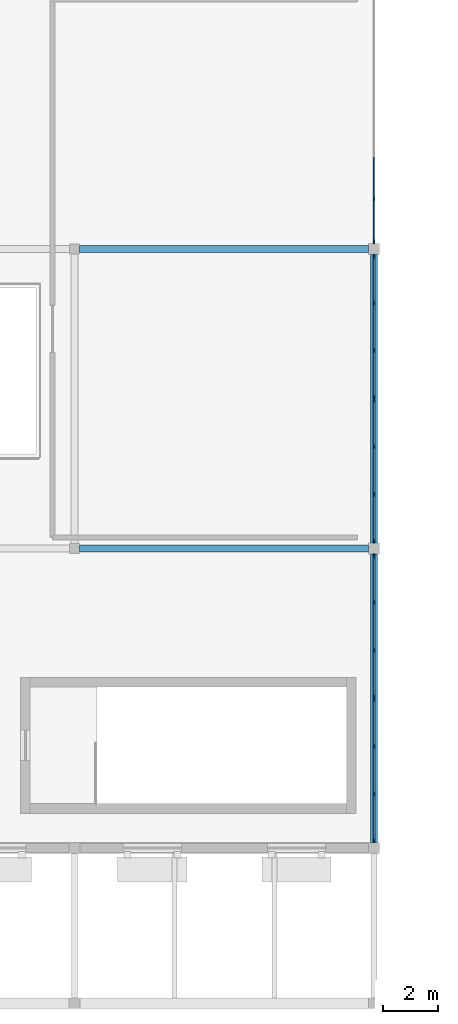
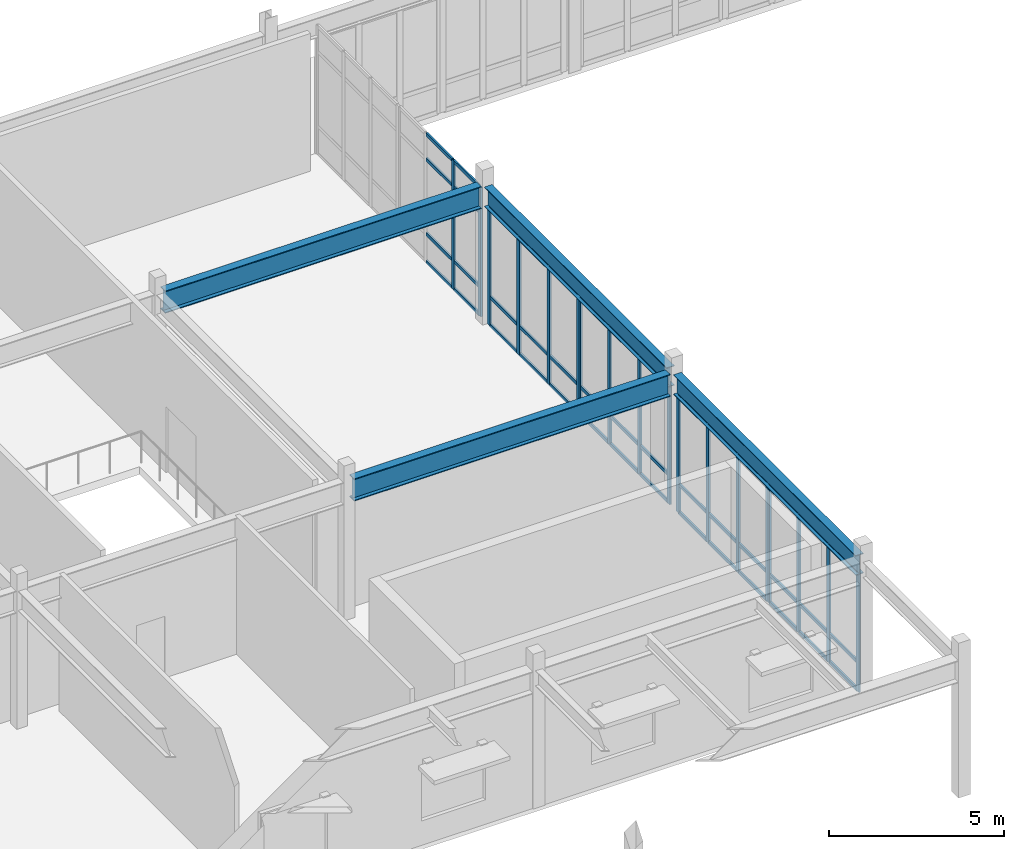
# One storey, part 10 of 68: 62 members, 4 beams, 5 elements without a shape of their own.
"""IFC4 building model written with IfcOpenShell, lengths in metres."""

from ifc_helpers import new_model, si_unit, direction, frame, origin, origin_2d, place, context, subcontext, project, spatial, rectangle, i_section, extrude, material, material_profile, profile_set, type_object, element, aggregate, save


model = new_model("IFC4")

# Units and contexts
model_context = context("Model", 3, precision=1e-05, world=origin(), true_north=direction((0.0, 1.0)))
body_context = subcontext(model_context, "Body", "Model", "MODEL_VIEW")
ifc_project = project(units=[si_unit("LENGTHUNIT", "METRE"), si_unit("AREAUNIT", "SQUARE_METRE"), si_unit("VOLUMEUNIT", "CUBIC_METRE"), si_unit("PLANEANGLEUNIT", "RADIAN"), si_unit("MASSUNIT", "GRAM", prefix="KILO")], contexts=[model_context])

# Site, building, storey
site_placement = place(None, origin())
site = spatial("IfcSite", under=ifc_project, at=site_placement, CompositionType="ELEMENT")
building_placement = place(site_placement, origin())
building = spatial("IfcBuilding", under=site, at=building_placement, Name="Veldera Park Congress Hotel", CompositionType="ELEMENT")
storey_placement = place(building_placement, frame((0.0, 0.0, 10.800048828125)))
storey = spatial("IfcBuildingStorey", under=building, at=storey_placement, Name="L02", CompositionType="ELEMENT", Elevation=10.800048828125)

# Beams
ifc_material_1 = material(Name="Steel ASTM A992 Gr.50", Category="steel")
ifc_material_profile_1 = material_profile(ifc_material_1, i_section(OverallWidth=0.256103515625, OverallDepth=0.693115234375, WebThickness=0.014404296875, FlangeThickness=0.023681640625, at=origin_2d()), Name="W27X114")
ifc_profile_set_1 = profile_set([ifc_material_profile_1], Name="Steel ASTM A992 Gr.50")
beam_type_1 = type_object("IfcBeamType", Name="BM-W27", PredefinedType="BEAM", material=ifc_profile_set_1)
beam_1_placement = place(storey_placement, frame((-45.800048828125, -52.0048828125, 4.453369140625), z_axis=(0.0, 1.0, 0.0), x_axis=(-1.0, 0.0, 0.0)))
element("IfcBeam", 1, at=beam_1_placement, inside=storey, type_object=beam_type_1, Name="L02 Girder BM-W27 954", PredefinedType="BEAM", context=body_context, shape_type="SweptSolid", body=[
    extrude(i_section(OverallWidth=0.256103515625, OverallDepth=0.693115234375, WebThickness=0.014404296875, FlangeThickness=0.023681640625, at=origin_2d()), origin(), (0.0, 0.0, 1.0), 10.409912109375),
])
beam_2_placement = place(storey_placement, frame((-45.800048828125, -41.205078125, 4.453369140625), z_axis=(0.0, 1.0, 0.0), x_axis=(-1.0, 0.0, 0.0)))
element("IfcBeam", 2, at=beam_2_placement, inside=storey, type_object=beam_type_1, Name="L02 Girder BM-W27 955", PredefinedType="BEAM", context=body_context, shape_type="SweptSolid", body=[
    extrude(i_section(OverallWidth=0.256103515625, OverallDepth=0.693115234375, WebThickness=0.014404296875, FlangeThickness=0.023681640625, at=origin_2d()), origin(), (0.0, 0.0, 1.0), 10.41015625),
])
ifc_material_profile_2 = material_profile(ifc_material_1, i_section(OverallWidth=0.26708984375, OverallDepth=0.779052734375, WebThickness=0.0166015625, FlangeThickness=0.030029296875, at=origin_2d()), Name="W30X148")
ifc_profile_set_2 = profile_set([ifc_material_profile_2], Name="Steel ASTM A992 Gr.50")
beam_type_2 = type_object("IfcBeamType", Name="BM-W30", PredefinedType="BEAM", material=ifc_profile_set_2)
for number, where, z_axis, x_axis, name in (
    (3, (-56.419921875, -41.39990234375, 4.410400390625), (1.0, 0.0, 0.0), (0.0, 1.0, 0.0), "L02 Girder BM-W30 830"),
    (4, (-56.419921875, -30.60009765625, 4.410400390625), (1.0, 0.0, 0.0), (0.0, 1.0, 0.0), "L02 Girder BM-W30 834"),
):
    element("IfcBeam", number, at=place(storey_placement, frame(where, z_axis=z_axis, x_axis=x_axis)), inside=storey, type_object=beam_type_2, Name=name, PredefinedType="BEAM", context=body_context, shape_type="SweptSolid", body=[
        extrude(i_section(OverallWidth=0.26708984375, OverallDepth=0.779052734375, WebThickness=0.0166015625, FlangeThickness=0.030029296875, at=origin_2d()), origin(), (0.0, 0.0, 1.0), 10.4248046875),
    ])

# Curtain wall, members
ifc_material_2 = material(Name="Low-E Triple Insulating Glass Unit (SHGC 0.22)", Category="glass")
curtain_wall_type = type_object("IfcCurtainWallType", Name="CW-SPA", PredefinedType="NOTDEFINED", material=ifc_material_2)
curtain_wall_1_placement = place(storey_placement, origin())
curtain_wall_1 = element("IfcCurtainWall", 5, at=curtain_wall_1_placement, inside=storey, type_object=curtain_wall_type, Name="L02 Curtain Wall CW3-V3E-L02-073", PredefinedType="NOTDEFINED")
ifc_material_3 = material(Name="Anodised Aluminium Alloy 6063-T6", Category="aluminium")
ifc_material_profile_3 = material_profile(ifc_material_3, rectangle(XDim=0.06005859375, YDim=0.159912109375, at=origin_2d()), Name="ALU 60x160")
ifc_profile_set_3 = profile_set([ifc_material_profile_3], Name="Anodised Aluminium Alloy 6063-T6")
member_type_1 = type_object("IfcMemberType", Name="CWM-160", PredefinedType="MULLION", material=ifc_profile_set_3)
member_1_placement = place(storey_placement, frame((-45.800048828125, -51.93505859375, 0.0), z_axis=(0.0, 0.0, 1.0), x_axis=(-1.0, 0.0, 0.0)))
member_1 = element("IfcMember", 6, at=member_1_placement, type_object=member_type_1, Name="CW-SPA mullion 1", PredefinedType="MULLION", context=body_context, shape_type="SweptSolid", body=[
    extrude(rectangle(XDim=0.06005859375, YDim=0.159912109375, at=origin_2d()), origin(), (0.0, 0.0, 1.0), 4.10205078125),
])
member_2_placement = place(storey_placement, frame((-45.800048828125, -50.248291015625, 0.0), z_axis=(0.0, 0.0, 1.0), x_axis=(-1.0, 0.0, 0.0)))
member_2 = element("IfcMember", 7, at=member_2_placement, type_object=member_type_1, Name="CW-SPA mullion 2", PredefinedType="MULLION", context=body_context, shape_type="SweptSolid", body=[
    extrude(rectangle(XDim=0.06005859375, YDim=0.159912109375, at=origin_2d()), origin(), (0.0, 0.0, 1.0), 4.10205078125),
])
member_3_placement = place(storey_placement, frame((-45.800048828125, -48.53173828125, 0.0), z_axis=(0.0, 0.0, 1.0), x_axis=(-1.0, 0.0, 0.0)))
member_3 = element("IfcMember", 8, at=member_3_placement, type_object=member_type_1, Name="CW-SPA mullion 3", PredefinedType="MULLION", context=body_context, shape_type="SweptSolid", body=[
    extrude(rectangle(XDim=0.06005859375, YDim=0.159912109375, at=origin_2d()), origin(), (0.0, 0.0, 1.0), 4.10205078125),
])
member_4_placement = place(storey_placement, frame((-45.800048828125, -46.844970703125, 0.0), z_axis=(0.0, 0.0, 1.0), x_axis=(-1.0, 0.0, 0.0)))
member_4 = element("IfcMember", 9, at=member_4_placement, type_object=member_type_1, Name="CW-SPA mullion 4", PredefinedType="MULLION", context=body_context, shape_type="SweptSolid", body=[
    extrude(rectangle(XDim=0.06005859375, YDim=0.159912109375, at=origin_2d()), origin(), (0.0, 0.0, 1.0), 4.10205078125),
])

curtain_wall_2_placement = place(storey_placement, origin())
curtain_wall_2 = element("IfcCurtainWall", 10, at=curtain_wall_2_placement, inside=storey, type_object=curtain_wall_type, Name="L02 Curtain Wall CW3-V3E-L02-074", PredefinedType="NOTDEFINED")
member_5_placement = place(storey_placement, frame((-45.800048828125, -46.7548828125, 0.0), z_axis=(0.0, 0.0, 1.0), x_axis=(-1.0, 0.0, 0.0)))
member_5 = element("IfcMember", 11, at=member_5_placement, type_object=member_type_1, Name="CW-SPA mullion 1", PredefinedType="MULLION", context=body_context, shape_type="SweptSolid", body=[
    extrude(rectangle(XDim=0.06005859375, YDim=0.159912109375, at=origin_2d()), origin(), (0.0, 0.0, 1.0), 4.10205078125),
])
member_6_placement = place(storey_placement, frame((-45.800048828125, -45.068359375, 0.0), z_axis=(0.0, 0.0, 1.0), x_axis=(-1.0, 0.0, 0.0)))
member_6 = element("IfcMember", 12, at=member_6_placement, type_object=member_type_1, Name="CW-SPA mullion 2", PredefinedType="MULLION", context=body_context, shape_type="SweptSolid", body=[
    extrude(rectangle(XDim=0.06005859375, YDim=0.159912109375, at=origin_2d()), origin(), (0.0, 0.0, 1.0), 4.10205078125),
])
member_7_placement = place(storey_placement, frame((-45.800048828125, -43.3515625, 0.0), z_axis=(0.0, 0.0, 1.0), x_axis=(-1.0, 0.0, 0.0)))
member_7 = element("IfcMember", 13, at=member_7_placement, type_object=member_type_1, Name="CW-SPA mullion 3", PredefinedType="MULLION", context=body_context, shape_type="SweptSolid", body=[
    extrude(rectangle(XDim=0.06005859375, YDim=0.159912109375, at=origin_2d()), origin(), (0.0, 0.0, 1.0), 4.10205078125),
])
member_8_placement = place(storey_placement, frame((-45.800048828125, -41.6650390625, 0.0), z_axis=(0.0, 0.0, 1.0), x_axis=(-1.0, 0.0, 0.0)))
member_8 = element("IfcMember", 14, at=member_8_placement, type_object=member_type_1, Name="CW-SPA mullion 4", PredefinedType="MULLION", context=body_context, shape_type="SweptSolid", body=[
    extrude(rectangle(XDim=0.06005859375, YDim=0.159912109375, at=origin_2d()), origin(), (0.0, 0.0, 1.0), 4.10205078125),
])

curtain_wall_3_placement = place(storey_placement, origin())
curtain_wall_3 = element("IfcCurtainWall", 15, at=curtain_wall_3_placement, inside=storey, type_object=curtain_wall_type, Name="L02 Curtain Wall CW3-V3E-L02-075", PredefinedType="NOTDEFINED")
member_9_placement = place(storey_placement, frame((-45.800048828125, -41.135009765625, 0.0), z_axis=(0.0, 0.0, 1.0), x_axis=(-1.0, 0.0, 0.0)))
member_9 = element("IfcMember", 16, at=member_9_placement, type_object=member_type_1, Name="CW-SPA mullion 1", PredefinedType="MULLION", context=body_context, shape_type="SweptSolid", body=[
    extrude(rectangle(XDim=0.06005859375, YDim=0.159912109375, at=origin_2d()), origin(), (0.0, 0.0, 1.0), 4.10205078125),
])
member_10_placement = place(storey_placement, frame((-45.800048828125, -39.4482421875, 0.0), z_axis=(0.0, 0.0, 1.0), x_axis=(-1.0, 0.0, 0.0)))
member_10 = element("IfcMember", 17, at=member_10_placement, type_object=member_type_1, Name="CW-SPA mullion 2", PredefinedType="MULLION", context=body_context, shape_type="SweptSolid", body=[
    extrude(rectangle(XDim=0.06005859375, YDim=0.159912109375, at=origin_2d()), origin(), (0.0, 0.0, 1.0), 4.10205078125),
])
member_11_placement = place(storey_placement, frame((-45.800048828125, -37.731689453125, 0.0), z_axis=(0.0, 0.0, 1.0), x_axis=(-1.0, 0.0, 0.0)))
member_11 = element("IfcMember", 18, at=member_11_placement, type_object=member_type_1, Name="CW-SPA mullion 3", PredefinedType="MULLION", context=body_context, shape_type="SweptSolid", body=[
    extrude(rectangle(XDim=0.06005859375, YDim=0.159912109375, at=origin_2d()), origin(), (0.0, 0.0, 1.0), 4.10205078125),
])
member_12_placement = place(storey_placement, frame((-45.800048828125, -36.044921875, 0.0), z_axis=(0.0, 0.0, 1.0), x_axis=(-1.0, 0.0, 0.0)))
member_12 = element("IfcMember", 19, at=member_12_placement, type_object=member_type_1, Name="CW-SPA mullion 4", PredefinedType="MULLION", context=body_context, shape_type="SweptSolid", body=[
    extrude(rectangle(XDim=0.06005859375, YDim=0.159912109375, at=origin_2d()), origin(), (0.0, 0.0, 1.0), 4.10205078125),
])

curtain_wall_4_placement = place(storey_placement, origin())
curtain_wall_4 = element("IfcCurtainWall", 20, at=curtain_wall_4_placement, inside=storey, type_object=curtain_wall_type, Name="L02 Curtain Wall CW3-V3E-L02-076", PredefinedType="NOTDEFINED")
member_13_placement = place(storey_placement, frame((-45.800048828125, -35.955078125, 0.0), z_axis=(0.0, 0.0, 1.0), x_axis=(-1.0, 0.0, 0.0)))
member_13 = element("IfcMember", 21, at=member_13_placement, type_object=member_type_1, Name="CW-SPA mullion 1", PredefinedType="MULLION", context=body_context, shape_type="SweptSolid", body=[
    extrude(rectangle(XDim=0.06005859375, YDim=0.159912109375, at=origin_2d()), origin(), (0.0, 0.0, 1.0), 4.10205078125),
])
member_14_placement = place(storey_placement, frame((-45.800048828125, -34.268310546875, 0.0), z_axis=(0.0, 0.0, 1.0), x_axis=(-1.0, 0.0, 0.0)))
member_14 = element("IfcMember", 22, at=member_14_placement, type_object=member_type_1, Name="CW-SPA mullion 2", PredefinedType="MULLION", context=body_context, shape_type="SweptSolid", body=[
    extrude(rectangle(XDim=0.06005859375, YDim=0.159912109375, at=origin_2d()), origin(), (0.0, 0.0, 1.0), 4.10205078125),
])
member_15_placement = place(storey_placement, frame((-45.800048828125, -32.5517578125, 0.0), z_axis=(0.0, 0.0, 1.0), x_axis=(-1.0, 0.0, 0.0)))
member_15 = element("IfcMember", 23, at=member_15_placement, type_object=member_type_1, Name="CW-SPA mullion 3", PredefinedType="MULLION", context=body_context, shape_type="SweptSolid", body=[
    extrude(rectangle(XDim=0.06005859375, YDim=0.159912109375, at=origin_2d()), origin(), (0.0, 0.0, 1.0), 4.10205078125),
])
member_16_placement = place(storey_placement, frame((-45.800048828125, -30.864990234375, 0.0), z_axis=(0.0, 0.0, 1.0), x_axis=(-1.0, 0.0, 0.0)))
member_16 = element("IfcMember", 24, at=member_16_placement, type_object=member_type_1, Name="CW-SPA mullion 4", PredefinedType="MULLION", context=body_context, shape_type="SweptSolid", body=[
    extrude(rectangle(XDim=0.06005859375, YDim=0.159912109375, at=origin_2d()), origin(), (0.0, 0.0, 1.0), 4.10205078125),
])

curtain_wall_5_placement = place(storey_placement, origin())
curtain_wall_5 = element("IfcCurtainWall", 25, at=curtain_wall_5_placement, inside=storey, type_object=curtain_wall_type, Name="L02 Curtain Wall CW3-V3E-L02-077", PredefinedType="NOTDEFINED")
member_17_placement = place(storey_placement, frame((-45.800048828125, -30.3349609375, 0.0), z_axis=(0.0, 0.0, 1.0), x_axis=(-1.0, 0.0, 0.0)))
member_17 = element("IfcMember", 26, at=member_17_placement, type_object=member_type_1, Name="CW-SPA mullion 1", PredefinedType="MULLION", context=body_context, shape_type="SweptSolid", body=[
    extrude(rectangle(XDim=0.06005859375, YDim=0.159912109375, at=origin_2d()), origin(), (0.0, 0.0, 1.0), 4.5),
])
member_18_placement = place(storey_placement, frame((-45.800048828125, -28.811767578125, 0.0), z_axis=(0.0, 0.0, 1.0), x_axis=(-1.0, 0.0, 0.0)))
member_18 = element("IfcMember", 27, at=member_18_placement, type_object=member_type_1, Name="CW-SPA mullion 2", PredefinedType="MULLION", context=body_context, shape_type="SweptSolid", body=[
    extrude(rectangle(XDim=0.06005859375, YDim=0.159912109375, at=origin_2d()), origin(), (0.0, 0.0, 1.0), 4.5),
])

# Member
ifc_material_profile_4 = material_profile(ifc_material_3, rectangle(XDim=0.06005859375, YDim=0.1201171875, at=origin_2d()), Name="ALU 60x120")
ifc_profile_set_4 = profile_set([ifc_material_profile_4], Name="Anodised Aluminium Alloy 6063-T6")
member_type_2 = type_object("IfcMemberType", Name="CWT-120", PredefinedType="USERDEFINED", material=ifc_profile_set_4)
member_19_placement = place(storey_placement, frame((-45.800048828125, -51.905029296875, 0.030029296875), z_axis=(0.0, 1.0, 0.0), x_axis=(-1.0, 0.0, 0.0)))
member_19 = element("IfcMember", 28, at=member_19_placement, type_object=member_type_2, Name="CW-SPA transom 1.1", ObjectType="TRANSOM", PredefinedType="USERDEFINED", context=body_context, shape_type="SweptSolid", body=[
    extrude(rectangle(XDim=0.06005859375, YDim=0.1201171875, at=origin_2d()), origin(), (0.0, 0.0, 1.0), 1.626708984375),
])

member_20_placement = place(storey_placement, frame((-45.800048828125, -51.905029296875, 1.0), z_axis=(0.0, 1.0, 0.0), x_axis=(-1.0, 0.0, 0.0)))
member_20 = element("IfcMember", 29, at=member_20_placement, type_object=member_type_2, Name="CW-SPA transom 1.2", ObjectType="TRANSOM", PredefinedType="USERDEFINED", context=body_context, shape_type="SweptSolid", body=[
    extrude(rectangle(XDim=0.06005859375, YDim=0.1201171875, at=origin_2d()), origin(), (0.0, 0.0, 1.0), 1.626708984375),
])

member_21_placement = place(storey_placement, frame((-45.800048828125, -51.905029296875, 4.072021484375), z_axis=(0.0, 1.0, 0.0), x_axis=(-1.0, 0.0, 0.0)))
member_21 = element("IfcMember", 30, at=member_21_placement, type_object=member_type_2, Name="CW-SPA transom 1.3", ObjectType="TRANSOM", PredefinedType="USERDEFINED", context=body_context, shape_type="SweptSolid", body=[
    extrude(rectangle(XDim=0.06005859375, YDim=0.1201171875, at=origin_2d()), origin(), (0.0, 0.0, 1.0), 1.626708984375),
])

member_22_placement = place(storey_placement, frame((-45.800048828125, -50.21826171875, 0.030029296875), z_axis=(0.0, 1.0, 0.0), x_axis=(-1.0, 0.0, 0.0)))
member_22 = element("IfcMember", 31, at=member_22_placement, type_object=member_type_2, Name="CW-SPA transom 2.1", ObjectType="TRANSOM", PredefinedType="USERDEFINED", context=body_context, shape_type="SweptSolid", body=[
    extrude(rectangle(XDim=0.06005859375, YDim=0.1201171875, at=origin_2d()), origin(), (0.0, 0.0, 1.0), 1.656494140625),
])

member_23_placement = place(storey_placement, frame((-45.800048828125, -50.21826171875, 1.0), z_axis=(0.0, 1.0, 0.0), x_axis=(-1.0, 0.0, 0.0)))
member_23 = element("IfcMember", 32, at=member_23_placement, type_object=member_type_2, Name="CW-SPA transom 2.2", ObjectType="TRANSOM", PredefinedType="USERDEFINED", context=body_context, shape_type="SweptSolid", body=[
    extrude(rectangle(XDim=0.06005859375, YDim=0.1201171875, at=origin_2d()), origin(), (0.0, 0.0, 1.0), 1.656494140625),
])

member_24_placement = place(storey_placement, frame((-45.800048828125, -50.21826171875, 4.072021484375), z_axis=(0.0, 1.0, 0.0), x_axis=(-1.0, 0.0, 0.0)))
member_24 = element("IfcMember", 33, at=member_24_placement, type_object=member_type_2, Name="CW-SPA transom 2.3", ObjectType="TRANSOM", PredefinedType="USERDEFINED", context=body_context, shape_type="SweptSolid", body=[
    extrude(rectangle(XDim=0.06005859375, YDim=0.1201171875, at=origin_2d()), origin(), (0.0, 0.0, 1.0), 1.656494140625),
])

member_25_placement = place(storey_placement, frame((-45.800048828125, -48.501708984375, 0.030029296875), z_axis=(0.0, 1.0, 0.0), x_axis=(-1.0, 0.0, 0.0)))
member_25 = element("IfcMember", 34, at=member_25_placement, type_object=member_type_2, Name="CW-SPA transom 3.1", ObjectType="TRANSOM", PredefinedType="USERDEFINED", context=body_context, shape_type="SweptSolid", body=[
    extrude(rectangle(XDim=0.06005859375, YDim=0.1201171875, at=origin_2d()), origin(), (0.0, 0.0, 1.0), 1.626708984375),
])

member_26_placement = place(storey_placement, frame((-45.800048828125, -48.501708984375, 1.0), z_axis=(0.0, 1.0, 0.0), x_axis=(-1.0, 0.0, 0.0)))
member_26 = element("IfcMember", 35, at=member_26_placement, type_object=member_type_2, Name="CW-SPA transom 3.2", ObjectType="TRANSOM", PredefinedType="USERDEFINED", context=body_context, shape_type="SweptSolid", body=[
    extrude(rectangle(XDim=0.06005859375, YDim=0.1201171875, at=origin_2d()), origin(), (0.0, 0.0, 1.0), 1.626708984375),
])

member_27_placement = place(storey_placement, frame((-45.800048828125, -48.501708984375, 4.072021484375), z_axis=(0.0, 1.0, 0.0), x_axis=(-1.0, 0.0, 0.0)))
member_27 = element("IfcMember", 36, at=member_27_placement, type_object=member_type_2, Name="CW-SPA transom 3.3", ObjectType="TRANSOM", PredefinedType="USERDEFINED", context=body_context, shape_type="SweptSolid", body=[
    extrude(rectangle(XDim=0.06005859375, YDim=0.1201171875, at=origin_2d()), origin(), (0.0, 0.0, 1.0), 1.626708984375),
])

aggregate(curtain_wall_1, [member_1, member_2, member_3, member_4, member_19, member_20, member_21, member_22, member_23, member_24, member_25, member_26, member_27])

member_28_placement = place(storey_placement, frame((-45.800048828125, -46.72509765625, 0.030029296875), z_axis=(0.0, 1.0, 0.0), x_axis=(-1.0, 0.0, 0.0)))
member_28 = element("IfcMember", 37, at=member_28_placement, type_object=member_type_2, Name="CW-SPA transom 1.1", ObjectType="TRANSOM", PredefinedType="USERDEFINED", context=body_context, shape_type="SweptSolid", body=[
    extrude(rectangle(XDim=0.06005859375, YDim=0.1201171875, at=origin_2d()), origin(), (0.0, 0.0, 1.0), 1.626708984375),
])

member_29_placement = place(storey_placement, frame((-45.800048828125, -46.72509765625, 1.0), z_axis=(0.0, 1.0, 0.0), x_axis=(-1.0, 0.0, 0.0)))
member_29 = element("IfcMember", 38, at=member_29_placement, type_object=member_type_2, Name="CW-SPA transom 1.2", ObjectType="TRANSOM", PredefinedType="USERDEFINED", context=body_context, shape_type="SweptSolid", body=[
    extrude(rectangle(XDim=0.06005859375, YDim=0.1201171875, at=origin_2d()), origin(), (0.0, 0.0, 1.0), 1.626708984375),
])

member_30_placement = place(storey_placement, frame((-45.800048828125, -46.72509765625, 4.072021484375), z_axis=(0.0, 1.0, 0.0), x_axis=(-1.0, 0.0, 0.0)))
member_30 = element("IfcMember", 39, at=member_30_placement, type_object=member_type_2, Name="CW-SPA transom 1.3", ObjectType="TRANSOM", PredefinedType="USERDEFINED", context=body_context, shape_type="SweptSolid", body=[
    extrude(rectangle(XDim=0.06005859375, YDim=0.1201171875, at=origin_2d()), origin(), (0.0, 0.0, 1.0), 1.626708984375),
])

member_31_placement = place(storey_placement, frame((-45.800048828125, -45.038330078125, 0.030029296875), z_axis=(0.0, 1.0, 0.0), x_axis=(-1.0, 0.0, 0.0)))
member_31 = element("IfcMember", 40, at=member_31_placement, type_object=member_type_2, Name="CW-SPA transom 2.1", ObjectType="TRANSOM", PredefinedType="USERDEFINED", context=body_context, shape_type="SweptSolid", body=[
    extrude(rectangle(XDim=0.06005859375, YDim=0.1201171875, at=origin_2d()), origin(), (0.0, 0.0, 1.0), 1.65673828125),
])

member_32_placement = place(storey_placement, frame((-45.800048828125, -45.038330078125, 1.0), z_axis=(0.0, 1.0, 0.0), x_axis=(-1.0, 0.0, 0.0)))
member_32 = element("IfcMember", 41, at=member_32_placement, type_object=member_type_2, Name="CW-SPA transom 2.2", ObjectType="TRANSOM", PredefinedType="USERDEFINED", context=body_context, shape_type="SweptSolid", body=[
    extrude(rectangle(XDim=0.06005859375, YDim=0.1201171875, at=origin_2d()), origin(), (0.0, 0.0, 1.0), 1.65673828125),
])

member_33_placement = place(storey_placement, frame((-45.800048828125, -45.038330078125, 4.072021484375), z_axis=(0.0, 1.0, 0.0), x_axis=(-1.0, 0.0, 0.0)))
member_33 = element("IfcMember", 42, at=member_33_placement, type_object=member_type_2, Name="CW-SPA transom 2.3", ObjectType="TRANSOM", PredefinedType="USERDEFINED", context=body_context, shape_type="SweptSolid", body=[
    extrude(rectangle(XDim=0.06005859375, YDim=0.1201171875, at=origin_2d()), origin(), (0.0, 0.0, 1.0), 1.65673828125),
])

member_34_placement = place(storey_placement, frame((-45.800048828125, -43.32177734375, 0.030029296875), z_axis=(0.0, 1.0, 0.0), x_axis=(-1.0, 0.0, 0.0)))
member_34 = element("IfcMember", 43, at=member_34_placement, type_object=member_type_2, Name="CW-SPA transom 3.1", ObjectType="TRANSOM", PredefinedType="USERDEFINED", context=body_context, shape_type="SweptSolid", body=[
    extrude(rectangle(XDim=0.06005859375, YDim=0.1201171875, at=origin_2d()), origin(), (0.0, 0.0, 1.0), 1.626708984375),
])

member_35_placement = place(storey_placement, frame((-45.800048828125, -43.32177734375, 1.0), z_axis=(0.0, 1.0, 0.0), x_axis=(-1.0, 0.0, 0.0)))
member_35 = element("IfcMember", 44, at=member_35_placement, type_object=member_type_2, Name="CW-SPA transom 3.2", ObjectType="TRANSOM", PredefinedType="USERDEFINED", context=body_context, shape_type="SweptSolid", body=[
    extrude(rectangle(XDim=0.06005859375, YDim=0.1201171875, at=origin_2d()), origin(), (0.0, 0.0, 1.0), 1.626708984375),
])

member_36_placement = place(storey_placement, frame((-45.800048828125, -43.32177734375, 4.072021484375), z_axis=(0.0, 1.0, 0.0), x_axis=(-1.0, 0.0, 0.0)))
member_36 = element("IfcMember", 45, at=member_36_placement, type_object=member_type_2, Name="CW-SPA transom 3.3", ObjectType="TRANSOM", PredefinedType="USERDEFINED", context=body_context, shape_type="SweptSolid", body=[
    extrude(rectangle(XDim=0.06005859375, YDim=0.1201171875, at=origin_2d()), origin(), (0.0, 0.0, 1.0), 1.626708984375),
])

aggregate(curtain_wall_2, [member_5, member_6, member_7, member_8, member_28, member_29, member_30, member_31, member_32, member_33, member_34, member_35, member_36])

member_37_placement = place(storey_placement, frame((-45.800048828125, -41.10498046875, 0.030029296875), z_axis=(0.0, 1.0, 0.0), x_axis=(-1.0, 0.0, 0.0)))
member_37 = element("IfcMember", 46, at=member_37_placement, type_object=member_type_2, Name="CW-SPA transom 1.1", ObjectType="TRANSOM", PredefinedType="USERDEFINED", context=body_context, shape_type="SweptSolid", body=[
    extrude(rectangle(XDim=0.06005859375, YDim=0.1201171875, at=origin_2d()), origin(), (0.0, 0.0, 1.0), 1.626708984375),
])

member_38_placement = place(storey_placement, frame((-45.800048828125, -41.10498046875, 1.0), z_axis=(0.0, 1.0, 0.0), x_axis=(-1.0, 0.0, 0.0)))
member_38 = element("IfcMember", 47, at=member_38_placement, type_object=member_type_2, Name="CW-SPA transom 1.2", ObjectType="TRANSOM", PredefinedType="USERDEFINED", context=body_context, shape_type="SweptSolid", body=[
    extrude(rectangle(XDim=0.06005859375, YDim=0.1201171875, at=origin_2d()), origin(), (0.0, 0.0, 1.0), 1.626708984375),
])

member_39_placement = place(storey_placement, frame((-45.800048828125, -41.10498046875, 4.072021484375), z_axis=(0.0, 1.0, 0.0), x_axis=(-1.0, 0.0, 0.0)))
member_39 = element("IfcMember", 48, at=member_39_placement, type_object=member_type_2, Name="CW-SPA transom 1.3", ObjectType="TRANSOM", PredefinedType="USERDEFINED", context=body_context, shape_type="SweptSolid", body=[
    extrude(rectangle(XDim=0.06005859375, YDim=0.1201171875, at=origin_2d()), origin(), (0.0, 0.0, 1.0), 1.626708984375),
])

member_40_placement = place(storey_placement, frame((-45.800048828125, -39.418212890625, 0.030029296875), z_axis=(0.0, 1.0, 0.0), x_axis=(-1.0, 0.0, 0.0)))
member_40 = element("IfcMember", 49, at=member_40_placement, type_object=member_type_2, Name="CW-SPA transom 2.1", ObjectType="TRANSOM", PredefinedType="USERDEFINED", context=body_context, shape_type="SweptSolid", body=[
    extrude(rectangle(XDim=0.06005859375, YDim=0.1201171875, at=origin_2d()), origin(), (0.0, 0.0, 1.0), 1.656494140625),
])

member_41_placement = place(storey_placement, frame((-45.800048828125, -39.418212890625, 1.0), z_axis=(0.0, 1.0, 0.0), x_axis=(-1.0, 0.0, 0.0)))
member_41 = element("IfcMember", 50, at=member_41_placement, type_object=member_type_2, Name="CW-SPA transom 2.2", ObjectType="TRANSOM", PredefinedType="USERDEFINED", context=body_context, shape_type="SweptSolid", body=[
    extrude(rectangle(XDim=0.06005859375, YDim=0.1201171875, at=origin_2d()), origin(), (0.0, 0.0, 1.0), 1.656494140625),
])

member_42_placement = place(storey_placement, frame((-45.800048828125, -39.418212890625, 4.072021484375), z_axis=(0.0, 1.0, 0.0), x_axis=(-1.0, 0.0, 0.0)))
member_42 = element("IfcMember", 51, at=member_42_placement, type_object=member_type_2, Name="CW-SPA transom 2.3", ObjectType="TRANSOM", PredefinedType="USERDEFINED", context=body_context, shape_type="SweptSolid", body=[
    extrude(rectangle(XDim=0.06005859375, YDim=0.1201171875, at=origin_2d()), origin(), (0.0, 0.0, 1.0), 1.656494140625),
])

member_43_placement = place(storey_placement, frame((-45.800048828125, -37.70166015625, 0.030029296875), z_axis=(0.0, 1.0, 0.0), x_axis=(-1.0, 0.0, 0.0)))
member_43 = element("IfcMember", 52, at=member_43_placement, type_object=member_type_2, Name="CW-SPA transom 3.1", ObjectType="TRANSOM", PredefinedType="USERDEFINED", context=body_context, shape_type="SweptSolid", body=[
    extrude(rectangle(XDim=0.06005859375, YDim=0.1201171875, at=origin_2d()), origin(), (0.0, 0.0, 1.0), 1.626708984375),
])

member_44_placement = place(storey_placement, frame((-45.800048828125, -37.70166015625, 1.0), z_axis=(0.0, 1.0, 0.0), x_axis=(-1.0, 0.0, 0.0)))
member_44 = element("IfcMember", 53, at=member_44_placement, type_object=member_type_2, Name="CW-SPA transom 3.2", ObjectType="TRANSOM", PredefinedType="USERDEFINED", context=body_context, shape_type="SweptSolid", body=[
    extrude(rectangle(XDim=0.06005859375, YDim=0.1201171875, at=origin_2d()), origin(), (0.0, 0.0, 1.0), 1.626708984375),
])

member_45_placement = place(storey_placement, frame((-45.800048828125, -37.70166015625, 4.072021484375), z_axis=(0.0, 1.0, 0.0), x_axis=(-1.0, 0.0, 0.0)))
member_45 = element("IfcMember", 54, at=member_45_placement, type_object=member_type_2, Name="CW-SPA transom 3.3", ObjectType="TRANSOM", PredefinedType="USERDEFINED", context=body_context, shape_type="SweptSolid", body=[
    extrude(rectangle(XDim=0.06005859375, YDim=0.1201171875, at=origin_2d()), origin(), (0.0, 0.0, 1.0), 1.626708984375),
])

aggregate(curtain_wall_3, [member_9, member_10, member_11, member_12, member_37, member_38, member_39, member_40, member_41, member_42, member_43, member_44, member_45])

member_46_placement = place(storey_placement, frame((-45.800048828125, -35.925048828125, 0.030029296875), z_axis=(0.0, 1.0, 0.0), x_axis=(-1.0, 0.0, 0.0)))
member_46 = element("IfcMember", 55, at=member_46_placement, type_object=member_type_2, Name="CW-SPA transom 1.1", ObjectType="TRANSOM", PredefinedType="USERDEFINED", context=body_context, shape_type="SweptSolid", body=[
    extrude(rectangle(XDim=0.06005859375, YDim=0.1201171875, at=origin_2d()), origin(), (0.0, 0.0, 1.0), 1.626708984375),
])

member_47_placement = place(storey_placement, frame((-45.800048828125, -35.925048828125, 1.0), z_axis=(0.0, 1.0, 0.0), x_axis=(-1.0, 0.0, 0.0)))
member_47 = element("IfcMember", 56, at=member_47_placement, type_object=member_type_2, Name="CW-SPA transom 1.2", ObjectType="TRANSOM", PredefinedType="USERDEFINED", context=body_context, shape_type="SweptSolid", body=[
    extrude(rectangle(XDim=0.06005859375, YDim=0.1201171875, at=origin_2d()), origin(), (0.0, 0.0, 1.0), 1.626708984375),
])

member_48_placement = place(storey_placement, frame((-45.800048828125, -35.925048828125, 4.072021484375), z_axis=(0.0, 1.0, 0.0), x_axis=(-1.0, 0.0, 0.0)))
member_48 = element("IfcMember", 57, at=member_48_placement, type_object=member_type_2, Name="CW-SPA transom 1.3", ObjectType="TRANSOM", PredefinedType="USERDEFINED", context=body_context, shape_type="SweptSolid", body=[
    extrude(rectangle(XDim=0.06005859375, YDim=0.1201171875, at=origin_2d()), origin(), (0.0, 0.0, 1.0), 1.626708984375),
])

member_49_placement = place(storey_placement, frame((-45.800048828125, -34.23828125, 0.030029296875), z_axis=(0.0, 1.0, 0.0), x_axis=(-1.0, 0.0, 0.0)))
member_49 = element("IfcMember", 58, at=member_49_placement, type_object=member_type_2, Name="CW-SPA transom 2.1", ObjectType="TRANSOM", PredefinedType="USERDEFINED", context=body_context, shape_type="SweptSolid", body=[
    extrude(rectangle(XDim=0.06005859375, YDim=0.1201171875, at=origin_2d()), origin(), (0.0, 0.0, 1.0), 1.656494140625),
])

member_50_placement = place(storey_placement, frame((-45.800048828125, -34.23828125, 1.0), z_axis=(0.0, 1.0, 0.0), x_axis=(-1.0, 0.0, 0.0)))
member_50 = element("IfcMember", 59, at=member_50_placement, type_object=member_type_2, Name="CW-SPA transom 2.2", ObjectType="TRANSOM", PredefinedType="USERDEFINED", context=body_context, shape_type="SweptSolid", body=[
    extrude(rectangle(XDim=0.06005859375, YDim=0.1201171875, at=origin_2d()), origin(), (0.0, 0.0, 1.0), 1.656494140625),
])

member_51_placement = place(storey_placement, frame((-45.800048828125, -34.23828125, 4.072021484375), z_axis=(0.0, 1.0, 0.0), x_axis=(-1.0, 0.0, 0.0)))
member_51 = element("IfcMember", 60, at=member_51_placement, type_object=member_type_2, Name="CW-SPA transom 2.3", ObjectType="TRANSOM", PredefinedType="USERDEFINED", context=body_context, shape_type="SweptSolid", body=[
    extrude(rectangle(XDim=0.06005859375, YDim=0.1201171875, at=origin_2d()), origin(), (0.0, 0.0, 1.0), 1.656494140625),
])

member_52_placement = place(storey_placement, frame((-45.800048828125, -32.521728515625, 0.030029296875), z_axis=(0.0, 1.0, 0.0), x_axis=(-1.0, 0.0, 0.0)))
member_52 = element("IfcMember", 61, at=member_52_placement, type_object=member_type_2, Name="CW-SPA transom 3.1", ObjectType="TRANSOM", PredefinedType="USERDEFINED", context=body_context, shape_type="SweptSolid", body=[
    extrude(rectangle(XDim=0.06005859375, YDim=0.1201171875, at=origin_2d()), origin(), (0.0, 0.0, 1.0), 1.626708984375),
])

member_53_placement = place(storey_placement, frame((-45.800048828125, -32.521728515625, 1.0), z_axis=(0.0, 1.0, 0.0), x_axis=(-1.0, 0.0, 0.0)))
member_53 = element("IfcMember", 62, at=member_53_placement, type_object=member_type_2, Name="CW-SPA transom 3.2", ObjectType="TRANSOM", PredefinedType="USERDEFINED", context=body_context, shape_type="SweptSolid", body=[
    extrude(rectangle(XDim=0.06005859375, YDim=0.1201171875, at=origin_2d()), origin(), (0.0, 0.0, 1.0), 1.626708984375),
])

member_54_placement = place(storey_placement, frame((-45.800048828125, -32.521728515625, 4.072021484375), z_axis=(0.0, 1.0, 0.0), x_axis=(-1.0, 0.0, 0.0)))
member_54 = element("IfcMember", 63, at=member_54_placement, type_object=member_type_2, Name="CW-SPA transom 3.3", ObjectType="TRANSOM", PredefinedType="USERDEFINED", context=body_context, shape_type="SweptSolid", body=[
    extrude(rectangle(XDim=0.06005859375, YDim=0.1201171875, at=origin_2d()), origin(), (0.0, 0.0, 1.0), 1.626708984375),
])

aggregate(curtain_wall_4, [member_13, member_14, member_15, member_16, member_46, member_47, member_48, member_49, member_50, member_51, member_52, member_53, member_54])

member_55_placement = place(storey_placement, frame((-45.800048828125, -30.304931640625, 0.030029296875), z_axis=(0.0, 1.0, 0.0), x_axis=(-1.0, 0.0, 0.0)))
member_55 = element("IfcMember", 64, at=member_55_placement, type_object=member_type_2, Name="CW-SPA transom 1.1", ObjectType="TRANSOM", PredefinedType="USERDEFINED", context=body_context, shape_type="SweptSolid", body=[
    extrude(rectangle(XDim=0.06005859375, YDim=0.1201171875, at=origin_2d()), origin(), (0.0, 0.0, 1.0), 1.46337890625),
])

member_56_placement = place(storey_placement, frame((-45.800048828125, -30.304931640625, 1.0), z_axis=(0.0, 1.0, 0.0), x_axis=(-1.0, 0.0, 0.0)))
member_56 = element("IfcMember", 65, at=member_56_placement, type_object=member_type_2, Name="CW-SPA transom 1.2", ObjectType="TRANSOM", PredefinedType="USERDEFINED", context=body_context, shape_type="SweptSolid", body=[
    extrude(rectangle(XDim=0.06005859375, YDim=0.1201171875, at=origin_2d()), origin(), (0.0, 0.0, 1.0), 1.46337890625),
])

member_57_placement = place(storey_placement, frame((-45.800048828125, -30.304931640625, 3.599853515625), z_axis=(0.0, 1.0, 0.0), x_axis=(-1.0, 0.0, 0.0)))
member_57 = element("IfcMember", 66, at=member_57_placement, type_object=member_type_2, Name="CW-SPA transom 1.3", ObjectType="TRANSOM", PredefinedType="USERDEFINED", context=body_context, shape_type="SweptSolid", body=[
    extrude(rectangle(XDim=0.06005859375, YDim=0.1201171875, at=origin_2d()), origin(), (0.0, 0.0, 1.0), 1.46337890625),
])

member_58_placement = place(storey_placement, frame((-45.800048828125, -30.304931640625, 4.469970703125), z_axis=(0.0, 1.0, 0.0), x_axis=(-1.0, 0.0, 0.0)))
member_58 = element("IfcMember", 67, at=member_58_placement, type_object=member_type_2, Name="CW-SPA transom 1.4", ObjectType="TRANSOM", PredefinedType="USERDEFINED", context=body_context, shape_type="SweptSolid", body=[
    extrude(rectangle(XDim=0.06005859375, YDim=0.1201171875, at=origin_2d()), origin(), (0.0, 0.0, 1.0), 1.46337890625),
])

member_59_placement = place(storey_placement, frame((-45.800048828125, -28.78173828125, 0.030029296875), z_axis=(0.0, 1.0, 0.0), x_axis=(-1.0, 0.0, 0.0)))
member_59 = element("IfcMember", 68, at=member_59_placement, type_object=member_type_2, Name="CW-SPA transom 2.1", ObjectType="TRANSOM", PredefinedType="USERDEFINED", context=body_context, shape_type="SweptSolid", body=[
    extrude(rectangle(XDim=0.06005859375, YDim=0.1201171875, at=origin_2d()), origin(), (0.0, 0.0, 1.0), 1.493408203125),
])

member_60_placement = place(storey_placement, frame((-45.800048828125, -28.78173828125, 1.0), z_axis=(0.0, 1.0, 0.0), x_axis=(-1.0, 0.0, 0.0)))
member_60 = element("IfcMember", 69, at=member_60_placement, type_object=member_type_2, Name="CW-SPA transom 2.2", ObjectType="TRANSOM", PredefinedType="USERDEFINED", context=body_context, shape_type="SweptSolid", body=[
    extrude(rectangle(XDim=0.06005859375, YDim=0.1201171875, at=origin_2d()), origin(), (0.0, 0.0, 1.0), 1.493408203125),
])

member_61_placement = place(storey_placement, frame((-45.800048828125, -28.78173828125, 3.599853515625), z_axis=(0.0, 1.0, 0.0), x_axis=(-1.0, 0.0, 0.0)))
member_61 = element("IfcMember", 70, at=member_61_placement, type_object=member_type_2, Name="CW-SPA transom 2.3", ObjectType="TRANSOM", PredefinedType="USERDEFINED", context=body_context, shape_type="SweptSolid", body=[
    extrude(rectangle(XDim=0.06005859375, YDim=0.1201171875, at=origin_2d()), origin(), (0.0, 0.0, 1.0), 1.493408203125),
])

member_62_placement = place(storey_placement, frame((-45.800048828125, -28.78173828125, 4.469970703125), z_axis=(0.0, 1.0, 0.0), x_axis=(-1.0, 0.0, 0.0)))
member_62 = element("IfcMember", 71, at=member_62_placement, type_object=member_type_2, Name="CW-SPA transom 2.4", ObjectType="TRANSOM", PredefinedType="USERDEFINED", context=body_context, shape_type="SweptSolid", body=[
    extrude(rectangle(XDim=0.06005859375, YDim=0.1201171875, at=origin_2d()), origin(), (0.0, 0.0, 1.0), 1.493408203125),
])

aggregate(curtain_wall_5, [member_17, member_18, member_55, member_56, member_57, member_58, member_59, member_60, member_61, member_62])

save(model, "model.ifc")
